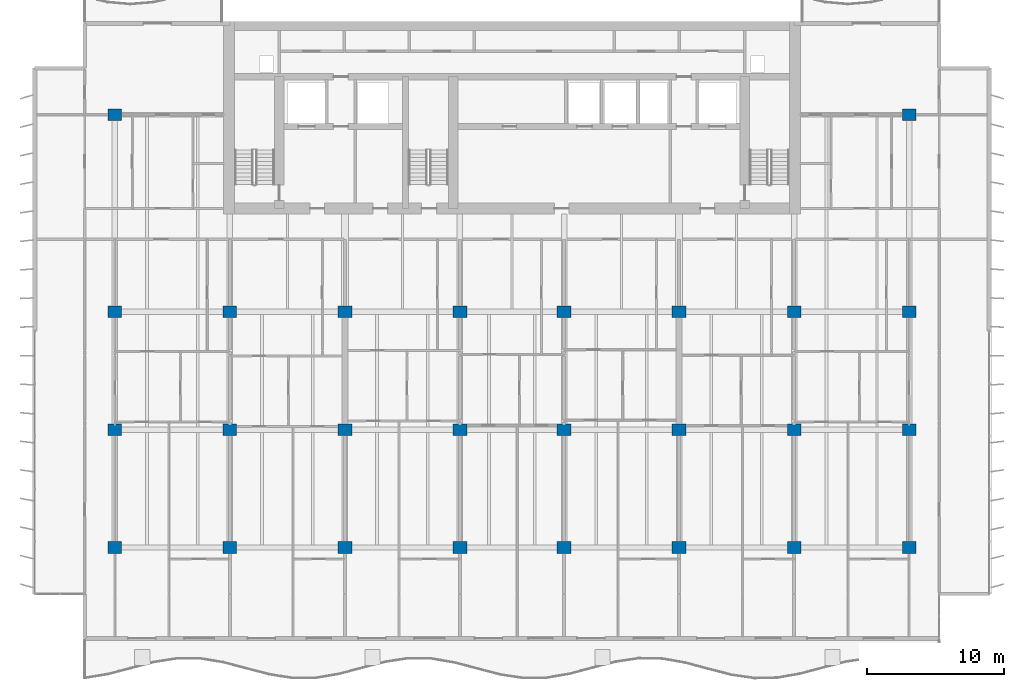
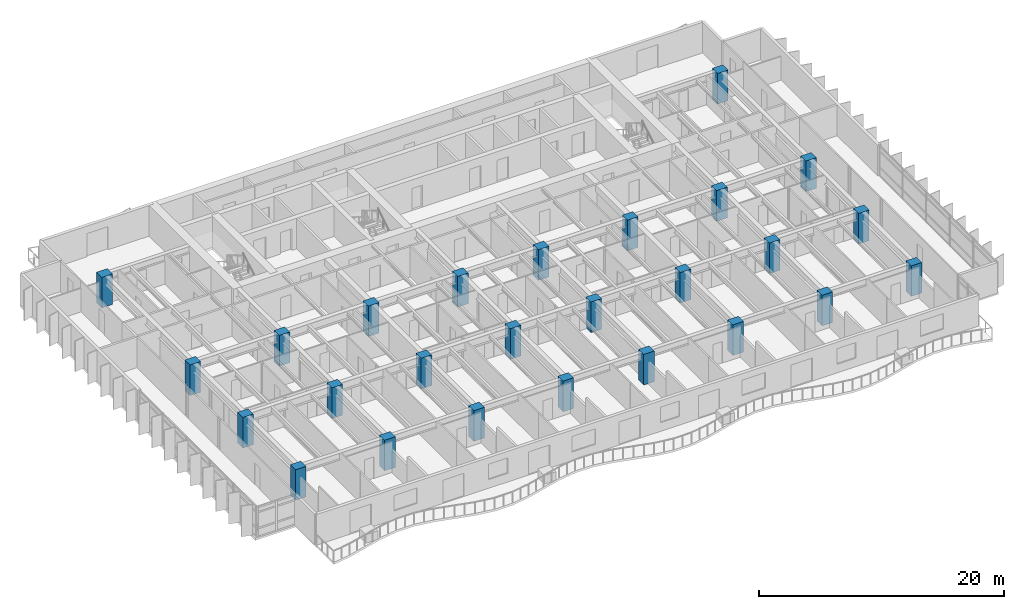
# One storey, part 1 of 18: 26 columns.
"""IFC4 building model written with IfcOpenShell, lengths in metres."""

from ifc_helpers import new_model, si_unit, direction, frame, origin, origin_2d, place, context, subcontext, project, spatial, rectangle, extrude, material, material_profile, profile_set, type_object, element, save


model = new_model("IFC4")

# Units and contexts
model_context = context("Model", 3, precision=1e-05, world=origin(), true_north=direction((0.0, 1.0)))
body_context = subcontext(model_context, "Body", "Model", "MODEL_VIEW")
ifc_project = project(units=[si_unit("LENGTHUNIT", "METRE"), si_unit("AREAUNIT", "SQUARE_METRE"), si_unit("VOLUMEUNIT", "CUBIC_METRE"), si_unit("PLANEANGLEUNIT", "RADIAN"), si_unit("MASSUNIT", "GRAM", prefix="KILO")], contexts=[model_context])

# Site, building, storey
site_placement = place(None, origin())
site = spatial("IfcSite", under=ifc_project, at=site_placement, CompositionType="ELEMENT")
building_placement = place(site_placement, origin())
building = spatial("IfcBuilding", under=site, at=building_placement, Name="Caelmar Bay Residences", CompositionType="ELEMENT")
storey_placement = place(building_placement, frame((0.0, 0.0, 125.699951171875)))
storey = spatial("IfcBuildingStorey", under=building, at=storey_placement, Name="L34", CompositionType="ELEMENT", Elevation=125.699951171875)

# Columns
ifc_material = material(Name="Concrete f'c 70 MPa (10,000 psi)", Category="concrete")
ifc_material_profile = material_profile(ifc_material, rectangle(XDim=1.0, YDim=0.85009765625, at=origin_2d()), Name="RC-COL-1000X850")
ifc_profile_set = profile_set([ifc_material_profile], Name="Concrete f'c 70 MPa (10,000 psi)")
column_type = type_object("IfcColumnType", Name="COL-RC-1000X850", PredefinedType="COLUMN", material=ifc_profile_set)
for number, where, z_axis, x_axis, name in (
    (1, (9.89990234375, 12.199951171875, 0.0), (0.0, 0.0, 1.0), (1.0, 0.0, 0.0), "L34 Column (9.90,12.20)"),
    (2, (18.300048828125, 12.199951171875, 0.0), (0.0, 0.0, 1.0), (1.0, 0.0, 0.0), "L34 Column (18.30,12.20)"),
    (3, (26.699951171875, 12.199951171875, 0.0), (0.0, 0.0, 1.0), (1.0, 0.0, 0.0), "L34 Column (26.70,12.20)"),
    (4, (35.10009765625, 12.199951171875, 0.0), (0.0, 0.0, 1.0), (1.0, 0.0, 0.0), "L34 Column (35.10,12.20)"),
    (5, (42.699951171875, 12.199951171875, 0.0), (0.0, 0.0, 1.0), (1.0, 0.0, 0.0), "L34 Column (42.70,12.20)"),
    (6, (51.10009765625, 12.199951171875, 0.0), (0.0, 0.0, 1.0), (1.0, 0.0, 0.0), "L34 Column (51.10,12.20)"),
    (7, (59.5, 12.199951171875, 0.0), (0.0, 0.0, 1.0), (1.0, 0.0, 0.0), "L34 Column (59.50,12.20)"),
    (8, (67.89990234375, 12.199951171875, 0.0), (0.0, 0.0, 1.0), (1.0, 0.0, 0.0), "L34 Column (67.90,12.20)"),
    (9, (9.89990234375, 20.800048828125, 0.0), (0.0, 0.0, 1.0), (1.0, 0.0, 0.0), "L34 Column (9.90,20.80)"),
    (10, (18.300048828125, 20.800048828125, 0.0), (0.0, 0.0, 1.0), (1.0, 0.0, 0.0), "L34 Column (18.30,20.80)"),
    (11, (26.699951171875, 20.800048828125, 0.0), (0.0, 0.0, 1.0), (1.0, 0.0, 0.0), "L34 Column (26.70,20.80)"),
    (12, (35.10009765625, 20.800048828125, 0.0), (0.0, 0.0, 1.0), (1.0, 0.0, 0.0), "L34 Column (35.10,20.80)"),
    (13, (42.699951171875, 20.800048828125, 0.0), (0.0, 0.0, 1.0), (1.0, 0.0, 0.0), "L34 Column (42.70,20.80)"),
    (14, (51.10009765625, 20.800048828125, 0.0), (0.0, 0.0, 1.0), (1.0, 0.0, 0.0), "L34 Column (51.10,20.80)"),
    (15, (59.5, 20.800048828125, 0.0), (0.0, 0.0, 1.0), (1.0, 0.0, 0.0), "L34 Column (59.50,20.80)"),
    (16, (67.89990234375, 20.800048828125, 0.0), (0.0, 0.0, 1.0), (1.0, 0.0, 0.0), "L34 Column (67.90,20.80)"),
    (17, (9.89990234375, 29.39990234375, 0.0), (0.0, 0.0, 1.0), (1.0, 0.0, 0.0), "L34 Column (9.90,29.40)"),
    (18, (18.300048828125, 29.39990234375, 0.0), (0.0, 0.0, 1.0), (1.0, 0.0, 0.0), "L34 Column (18.30,29.40)"),
    (19, (26.699951171875, 29.39990234375, 0.0), (0.0, 0.0, 1.0), (1.0, 0.0, 0.0), "L34 Column (26.70,29.40)"),
    (20, (35.10009765625, 29.39990234375, 0.0), (0.0, 0.0, 1.0), (1.0, 0.0, 0.0), "L34 Column (35.10,29.40)"),
    (21, (42.699951171875, 29.39990234375, 0.0), (0.0, 0.0, 1.0), (1.0, 0.0, 0.0), "L34 Column (42.70,29.40)"),
    (22, (51.10009765625, 29.39990234375, 0.0), (0.0, 0.0, 1.0), (1.0, 0.0, 0.0), "L34 Column (51.10,29.40)"),
    (23, (59.5, 29.39990234375, 0.0), (0.0, 0.0, 1.0), (1.0, 0.0, 0.0), "L34 Column (59.50,29.40)"),
    (24, (67.89990234375, 29.39990234375, 0.0), (0.0, 0.0, 1.0), (1.0, 0.0, 0.0), "L34 Column (67.90,29.40)"),
    (25, (9.89990234375, 43.800048828125, 0.0), (0.0, 0.0, 1.0), (1.0, 0.0, 0.0), "L34 Column (9.90,43.80)"),
    (26, (67.89990234375, 43.800048828125, 0.0), (0.0, 0.0, 1.0), (1.0, 0.0, 0.0), "L34 Column (67.90,43.80)"),
):
    element("IfcColumn", number, at=place(storey_placement, frame(where, z_axis=z_axis, x_axis=x_axis)), inside=storey, type_object=column_type, Name=name, PredefinedType="COLUMN", context=body_context, shape_type="SweptSolid", body=[
        extrude(rectangle(XDim=1.0, YDim=0.85009765625, at=origin_2d()), origin(), (0.0, 0.0, 1.0), 3.050048828125),
    ])

save(model, "model.ifc")
